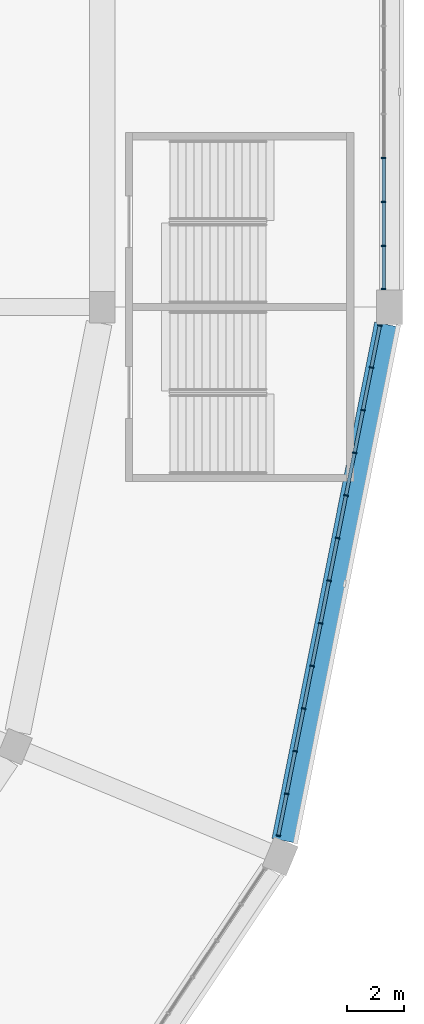
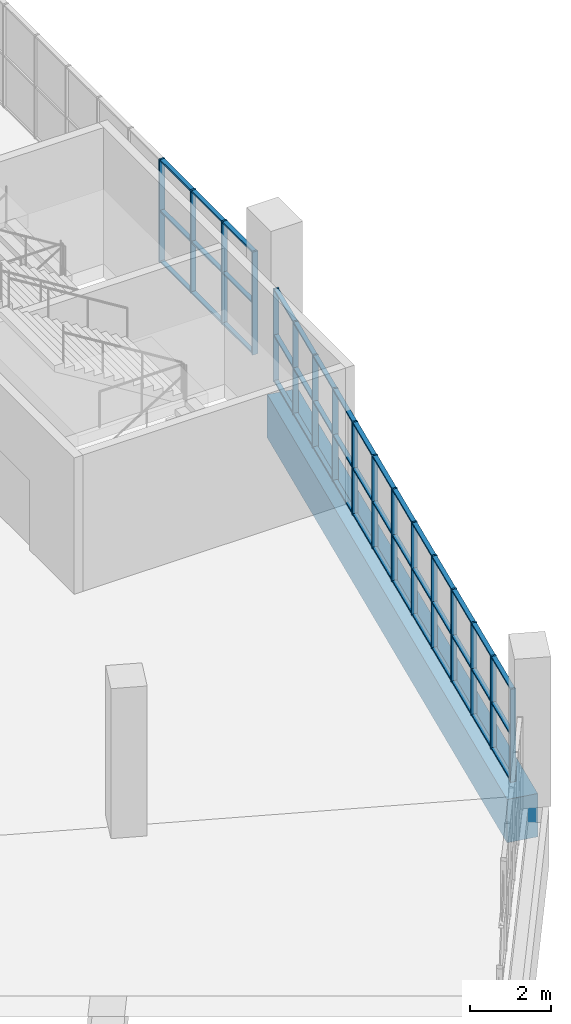
# One storey, part 26 of 199: 62 members, 1 beam, 2 elements without a shape of their own.
"""IFC4 building model written with IfcOpenShell, lengths in metres."""

from ifc_helpers import new_model, si_unit, direction, frame, origin, origin_2d, place, context, subcontext, project, spatial, rectangle, extrude, material, material_profile, profile_set, type_object, element, aggregate, save


model = new_model("IFC4")

# Units and contexts
model_context = context("Model", 3, precision=1e-05, world=origin(), true_north=direction((0.0, 1.0)))
body_context = subcontext(model_context, "Body", "Model", "MODEL_VIEW")
ifc_project = project(units=[si_unit("LENGTHUNIT", "METRE"), si_unit("AREAUNIT", "SQUARE_METRE"), si_unit("VOLUMEUNIT", "CUBIC_METRE"), si_unit("PLANEANGLEUNIT", "RADIAN"), si_unit("MASSUNIT", "GRAM", prefix="KILO")], contexts=[model_context])

# Site, building, storey
site_placement = place(None, origin())
site = spatial("IfcSite", under=ifc_project, at=site_placement, CompositionType="ELEMENT")
building_placement = place(site_placement, origin())
building = spatial("IfcBuilding", under=site, at=building_placement, Name="Ogive Plaza Stadium", CompositionType="ELEMENT")
storey_placement = place(building_placement, frame((0.0, 0.0, 9.0)))
storey = spatial("IfcBuildingStorey", under=building, at=storey_placement, Name="L02", CompositionType="ELEMENT", Elevation=9.0)

# Curtain wall, members
ifc_material_1 = material(Name="Bronze-anodised aluminium with laminated glass", Category="aluminium")
curtain_wall_type = type_object("IfcCurtainWallType", Name="Lancet curtain wall", PredefinedType="NOTDEFINED", material=ifc_material_1)
curtain_wall_1_placement = place(storey_placement, origin())
curtain_wall_1 = element("IfcCurtainWall", 1, at=curtain_wall_1_placement, inside=storey, type_object=curtain_wall_type, Name="CURTAIN WALL B07 L02", PredefinedType="NOTDEFINED")
ifc_material_2 = material(Name="Bronze-anodised aluminium", Category="aluminium")
ifc_material_profile_1 = material_profile(ifc_material_2, rectangle(XDim=0.14990234375, YDim=0.050048828125, at=origin_2d()), Name="AL 150x50")
ifc_profile_set_1 = profile_set([ifc_material_profile_1], Name="Bronze-anodised aluminium")
member_type_1 = type_object("IfcMemberType", Name="Curtain wall mullion 50x150", PredefinedType="MULLION", material=ifc_profile_set_1)
member_1_placement = place(storey_placement, frame((83.800048828125, -47.300048828125, 0.0), z_axis=(0.0, 0.0, 1.0), x_axis=(1.0, 0.0, 0.0)))
member_1 = element("IfcMember", 2, at=member_1_placement, type_object=member_type_1, Name="CW-B07-L02 mullion 7", PredefinedType="MULLION", context=body_context, shape_type="SweptSolid", body=[
    extrude(rectangle(XDim=0.14990234375, YDim=0.050048828125, at=origin_2d()), origin(), (0.0, 0.0, 1.0), 3.090087890625),
])
member_2_placement = place(storey_placement, frame((83.800048828125, -48.833251953125, 0.0), z_axis=(0.0, 0.0, 1.0), x_axis=(1.0, 0.0, 0.0)))
member_2 = element("IfcMember", 3, at=member_2_placement, type_object=member_type_1, Name="CW-B07-L02 mullion 8", PredefinedType="MULLION", context=body_context, shape_type="SweptSolid", body=[
    extrude(rectangle(XDim=0.14990234375, YDim=0.050048828125, at=origin_2d()), origin(), (0.0, 0.0, 1.0), 3.090087890625),
])
member_3_placement = place(storey_placement, frame((83.800048828125, -50.36669921875, 0.0), z_axis=(0.0, 0.0, 1.0), x_axis=(1.0, 0.0, 0.0)))
member_3 = element("IfcMember", 4, at=member_3_placement, type_object=member_type_1, Name="CW-B07-L02 mullion 9", PredefinedType="MULLION", context=body_context, shape_type="SweptSolid", body=[
    extrude(rectangle(XDim=0.14990234375, YDim=0.050048828125, at=origin_2d()), origin(), (0.0, 0.0, 1.0), 3.090087890625),
])
member_4_placement = place(storey_placement, frame((83.800048828125, -51.875, 0.0), z_axis=(0.0, 0.0, 1.0), x_axis=(1.0, 0.0, 0.0)))
member_4 = element("IfcMember", 5, at=member_4_placement, type_object=member_type_1, Name="CW-B07-L02 mullion 10", PredefinedType="MULLION", context=body_context, shape_type="SweptSolid", body=[
    extrude(rectangle(XDim=0.14990234375, YDim=0.050048828125, at=origin_2d()), origin(), (0.0, 0.0, 1.0), 3.090087890625),
])

curtain_wall_2_placement = place(storey_placement, origin())
curtain_wall_2 = element("IfcCurtainWall", 6, at=curtain_wall_2_placement, inside=storey, type_object=curtain_wall_type, Name="CURTAIN WALL B08 L02", PredefinedType="NOTDEFINED")
member_5_placement = place(storey_placement, frame((83.66796875, -53.14404296875, 0.0), z_axis=(0.0, 0.0, 1.0), x_axis=(0.980785280403, -0.195090322016, 0.0)))
member_5 = element("IfcMember", 7, at=member_5_placement, type_object=member_type_1, Name="CW-B08-L02 mullion 1", PredefinedType="MULLION", context=body_context, shape_type="SweptSolid", body=[
    extrude(rectangle(XDim=0.14990234375, YDim=0.050048828125, at=origin_2d()), origin(), (0.0, 0.0, 1.0), 2.7900390625),
])
member_6_placement = place(storey_placement, frame((83.37744140625, -54.604248046875, 0.0), z_axis=(0.0, 0.0, 1.0), x_axis=(0.980785280403, -0.195090322016, 0.0)))
member_6 = element("IfcMember", 8, at=member_6_placement, type_object=member_type_1, Name="CW-B08-L02 mullion 2", PredefinedType="MULLION", context=body_context, shape_type="SweptSolid", body=[
    extrude(rectangle(XDim=0.14990234375, YDim=0.050048828125, at=origin_2d()), origin(), (0.0, 0.0, 1.0), 2.7900390625),
])
member_7_placement = place(storey_placement, frame((83.082275390625, -56.089111328125, 0.0), z_axis=(0.0, 0.0, 1.0), x_axis=(0.980785280403, -0.195090322016, 0.0)))
member_7 = element("IfcMember", 9, at=member_7_placement, type_object=member_type_1, Name="CW-B08-L02 mullion 3", PredefinedType="MULLION", context=body_context, shape_type="SweptSolid", body=[
    extrude(rectangle(XDim=0.14990234375, YDim=0.050048828125, at=origin_2d()), origin(), (0.0, 0.0, 1.0), 2.7900390625),
])
member_8_placement = place(storey_placement, frame((82.786865234375, -57.57373046875, 0.0), z_axis=(0.0, 0.0, 1.0), x_axis=(0.980785280403, -0.195090322016, 0.0)))
member_8 = element("IfcMember", 10, at=member_8_placement, type_object=member_type_1, Name="CW-B08-L02 mullion 4", PredefinedType="MULLION", context=body_context, shape_type="SweptSolid", body=[
    extrude(rectangle(XDim=0.14990234375, YDim=0.050048828125, at=origin_2d()), origin(), (0.0, 0.0, 1.0), 2.7900390625),
])
member_9_placement = place(storey_placement, frame((82.491455078125, -59.05859375, 0.0), z_axis=(0.0, 0.0, 1.0), x_axis=(0.980785280403, -0.195090322016, 0.0)))
member_9 = element("IfcMember", 11, at=member_9_placement, type_object=member_type_1, Name="CW-B08-L02 mullion 5", PredefinedType="MULLION", context=body_context, shape_type="SweptSolid", body=[
    extrude(rectangle(XDim=0.14990234375, YDim=0.050048828125, at=origin_2d()), origin(), (0.0, 0.0, 1.0), 2.7900390625),
])
member_10_placement = place(storey_placement, frame((82.1962890625, -60.543212890625, 0.0), z_axis=(0.0, 0.0, 1.0), x_axis=(0.980785280403, -0.195090322016, 0.0)))
member_10 = element("IfcMember", 12, at=member_10_placement, type_object=member_type_1, Name="CW-B08-L02 mullion 6", PredefinedType="MULLION", context=body_context, shape_type="SweptSolid", body=[
    extrude(rectangle(XDim=0.14990234375, YDim=0.050048828125, at=origin_2d()), origin(), (0.0, 0.0, 1.0), 2.7900390625),
])
member_11_placement = place(storey_placement, frame((81.90087890625, -62.028076171875, 0.0), z_axis=(0.0, 0.0, 1.0), x_axis=(0.980785280403, -0.195090322016, 0.0)))
member_11 = element("IfcMember", 13, at=member_11_placement, type_object=member_type_1, Name="CW-B08-L02 mullion 7", PredefinedType="MULLION", context=body_context, shape_type="SweptSolid", body=[
    extrude(rectangle(XDim=0.14990234375, YDim=0.050048828125, at=origin_2d()), origin(), (0.0, 0.0, 1.0), 2.7900390625),
])
member_12_placement = place(storey_placement, frame((81.60546875, -63.512939453125, 0.0), z_axis=(0.0, 0.0, 1.0), x_axis=(0.980785280403, -0.195090322016, 0.0)))
member_12 = element("IfcMember", 14, at=member_12_placement, type_object=member_type_1, Name="CW-B08-L02 mullion 8", PredefinedType="MULLION", context=body_context, shape_type="SweptSolid", body=[
    extrude(rectangle(XDim=0.14990234375, YDim=0.050048828125, at=origin_2d()), origin(), (0.0, 0.0, 1.0), 2.7900390625),
])
member_13_placement = place(storey_placement, frame((81.31005859375, -64.99755859375, 0.0), z_axis=(0.0, 0.0, 1.0), x_axis=(0.980785280403, -0.195090322016, 0.0)))
member_13 = element("IfcMember", 15, at=member_13_placement, type_object=member_type_1, Name="CW-B08-L02 mullion 9", PredefinedType="MULLION", context=body_context, shape_type="SweptSolid", body=[
    extrude(rectangle(XDim=0.14990234375, YDim=0.050048828125, at=origin_2d()), origin(), (0.0, 0.0, 1.0), 2.7900390625),
])
member_14_placement = place(storey_placement, frame((81.014892578125, -66.482421875, 0.0), z_axis=(0.0, 0.0, 1.0), x_axis=(0.980785280403, -0.195090322016, 0.0)))
member_14 = element("IfcMember", 16, at=member_14_placement, type_object=member_type_1, Name="CW-B08-L02 mullion 10", PredefinedType="MULLION", context=body_context, shape_type="SweptSolid", body=[
    extrude(rectangle(XDim=0.14990234375, YDim=0.050048828125, at=origin_2d()), origin(), (0.0, 0.0, 1.0), 2.7900390625),
])
member_15_placement = place(storey_placement, frame((80.719482421875, -67.967041015625, 0.0), z_axis=(0.0, 0.0, 1.0), x_axis=(0.980785280403, -0.195090322016, 0.0)))
member_15 = element("IfcMember", 17, at=member_15_placement, type_object=member_type_1, Name="CW-B08-L02 mullion 11", PredefinedType="MULLION", context=body_context, shape_type="SweptSolid", body=[
    extrude(rectangle(XDim=0.14990234375, YDim=0.050048828125, at=origin_2d()), origin(), (0.0, 0.0, 1.0), 2.7900390625),
])
member_16_placement = place(storey_placement, frame((80.424072265625, -69.451904296875, 0.0), z_axis=(0.0, 0.0, 1.0), x_axis=(0.980785280403, -0.195090322016, 0.0)))
member_16 = element("IfcMember", 18, at=member_16_placement, type_object=member_type_1, Name="CW-B08-L02 mullion 12", PredefinedType="MULLION", context=body_context, shape_type="SweptSolid", body=[
    extrude(rectangle(XDim=0.14990234375, YDim=0.050048828125, at=origin_2d()), origin(), (0.0, 0.0, 1.0), 2.7900390625),
])
member_17_placement = place(storey_placement, frame((80.1337890625, -70.912109375, 0.0), z_axis=(0.0, 0.0, 1.0), x_axis=(0.980785280403, -0.195090322016, 0.0)))
member_17 = element("IfcMember", 19, at=member_17_placement, type_object=member_type_1, Name="CW-B08-L02 mullion 13", PredefinedType="MULLION", context=body_context, shape_type="SweptSolid", body=[
    extrude(rectangle(XDim=0.14990234375, YDim=0.050048828125, at=origin_2d()), origin(), (0.0, 0.0, 1.0), 2.7900390625),
])

# Member
ifc_material_3 = material(Name="Bronze-anodised aluminium", Category="aluminium")
ifc_material_profile_2 = material_profile(ifc_material_3, rectangle(XDim=0.1201171875, YDim=0.050048828125, at=origin_2d()), Name="AL 120x50")
ifc_profile_set_2 = profile_set([ifc_material_profile_2], Name="Bronze-anodised aluminium")
member_type_2 = type_object("IfcMemberType", Name="Curtain wall transom 50x120", PredefinedType="USERDEFINED", material=ifc_profile_set_2)
member_18_placement = place(storey_placement, frame((83.800048828125, -47.324951171875, 0.02490234375), z_axis=(0.0, -1.0, 0.0), x_axis=(1.0, 0.0, 0.0)))
member_18 = element("IfcMember", 20, at=member_18_placement, type_object=member_type_2, Name="CW-B07-L02 transom 7.1", ObjectType="TRANSOM", PredefinedType="USERDEFINED", context=body_context, shape_type="SweptSolid", body=[
    extrude(rectangle(XDim=0.1201171875, YDim=0.050048828125, at=origin_2d()), origin(), (0.0, 0.0, 1.0), 1.4833984375),
])

member_19_placement = place(storey_placement, frame((83.800048828125, -47.324951171875, 1.544921875), z_axis=(0.0, -1.0, 0.0), x_axis=(1.0, 0.0, 0.0)))
member_19 = element("IfcMember", 21, at=member_19_placement, type_object=member_type_2, Name="CW-B07-L02 transom 7.2", ObjectType="TRANSOM", PredefinedType="USERDEFINED", context=body_context, shape_type="SweptSolid", body=[
    extrude(rectangle(XDim=0.1201171875, YDim=0.050048828125, at=origin_2d()), origin(), (0.0, 0.0, 1.0), 1.4833984375),
])

member_20_placement = place(storey_placement, frame((83.800048828125, -47.324951171875, 3.06494140625), z_axis=(0.0, -1.0, 0.0), x_axis=(1.0, 0.0, 0.0)))
member_20 = element("IfcMember", 22, at=member_20_placement, type_object=member_type_2, Name="CW-B07-L02 transom 7.3", ObjectType="TRANSOM", PredefinedType="USERDEFINED", context=body_context, shape_type="SweptSolid", body=[
    extrude(rectangle(XDim=0.1201171875, YDim=0.050048828125, at=origin_2d()), origin(), (0.0, 0.0, 1.0), 1.4833984375),
])

member_21_placement = place(storey_placement, frame((83.800048828125, -48.8583984375, 0.02490234375), z_axis=(0.0, -1.0, 0.0), x_axis=(1.0, 0.0, 0.0)))
member_21 = element("IfcMember", 23, at=member_21_placement, type_object=member_type_2, Name="CW-B07-L02 transom 8.1", ObjectType="TRANSOM", PredefinedType="USERDEFINED", context=body_context, shape_type="SweptSolid", body=[
    extrude(rectangle(XDim=0.1201171875, YDim=0.050048828125, at=origin_2d()), origin(), (0.0, 0.0, 1.0), 1.483154296875),
])

member_22_placement = place(storey_placement, frame((83.800048828125, -48.8583984375, 1.544921875), z_axis=(0.0, -1.0, 0.0), x_axis=(1.0, 0.0, 0.0)))
member_22 = element("IfcMember", 24, at=member_22_placement, type_object=member_type_2, Name="CW-B07-L02 transom 8.2", ObjectType="TRANSOM", PredefinedType="USERDEFINED", context=body_context, shape_type="SweptSolid", body=[
    extrude(rectangle(XDim=0.1201171875, YDim=0.050048828125, at=origin_2d()), origin(), (0.0, 0.0, 1.0), 1.483154296875),
])

member_23_placement = place(storey_placement, frame((83.800048828125, -48.8583984375, 3.06494140625), z_axis=(0.0, -1.0, 0.0), x_axis=(1.0, 0.0, 0.0)))
member_23 = element("IfcMember", 25, at=member_23_placement, type_object=member_type_2, Name="CW-B07-L02 transom 8.3", ObjectType="TRANSOM", PredefinedType="USERDEFINED", context=body_context, shape_type="SweptSolid", body=[
    extrude(rectangle(XDim=0.1201171875, YDim=0.050048828125, at=origin_2d()), origin(), (0.0, 0.0, 1.0), 1.483154296875),
])

member_24_placement = place(storey_placement, frame((83.800048828125, -50.3916015625, 0.02490234375), z_axis=(0.0, -1.0, 0.0), x_axis=(1.0, 0.0, 0.0)))
member_24 = element("IfcMember", 26, at=member_24_placement, type_object=member_type_2, Name="CW-B07-L02 transom 9.1", ObjectType="TRANSOM", PredefinedType="USERDEFINED", context=body_context, shape_type="SweptSolid", body=[
    extrude(rectangle(XDim=0.1201171875, YDim=0.050048828125, at=origin_2d()), origin(), (0.0, 0.0, 1.0), 1.45849609375),
])

member_25_placement = place(storey_placement, frame((83.800048828125, -50.3916015625, 1.544921875), z_axis=(0.0, -1.0, 0.0), x_axis=(1.0, 0.0, 0.0)))
member_25 = element("IfcMember", 27, at=member_25_placement, type_object=member_type_2, Name="CW-B07-L02 transom 9.2", ObjectType="TRANSOM", PredefinedType="USERDEFINED", context=body_context, shape_type="SweptSolid", body=[
    extrude(rectangle(XDim=0.1201171875, YDim=0.050048828125, at=origin_2d()), origin(), (0.0, 0.0, 1.0), 1.45849609375),
])

member_26_placement = place(storey_placement, frame((83.800048828125, -50.3916015625, 3.06494140625), z_axis=(0.0, -1.0, 0.0), x_axis=(1.0, 0.0, 0.0)))
member_26 = element("IfcMember", 28, at=member_26_placement, type_object=member_type_2, Name="CW-B07-L02 transom 9.3", ObjectType="TRANSOM", PredefinedType="USERDEFINED", context=body_context, shape_type="SweptSolid", body=[
    extrude(rectangle(XDim=0.1201171875, YDim=0.050048828125, at=origin_2d()), origin(), (0.0, 0.0, 1.0), 1.45849609375),
])

aggregate(curtain_wall_1, [member_1, member_2, member_3, member_4, member_18, member_19, member_20, member_21, member_22, member_23, member_24, member_25, member_26])

member_27_placement = place(storey_placement, frame((83.6630859375, -53.16845703125, 0.02490234375), z_axis=(-0.195104618913, -0.980782436465, 0.0), x_axis=(0.980782436465, -0.195104618913, 0.0)))
member_27 = element("IfcMember", 29, at=member_27_placement, type_object=member_type_2, Name="CW-B08-L02 transom 1.1", ObjectType="TRANSOM", PredefinedType="USERDEFINED", context=body_context, shape_type="SweptSolid", body=[
    extrude(rectangle(XDim=0.1201171875, YDim=0.050048828125, at=origin_2d()), origin(), (0.0, 0.0, 1.0), 1.43896484375),
])

member_28_placement = place(storey_placement, frame((83.6630859375, -53.16845703125, 1.39501953125), z_axis=(-0.195104618913, -0.980782436465, 0.0), x_axis=(0.980782436465, -0.195104618913, 0.0)))
member_28 = element("IfcMember", 30, at=member_28_placement, type_object=member_type_2, Name="CW-B08-L02 transom 1.2", ObjectType="TRANSOM", PredefinedType="USERDEFINED", context=body_context, shape_type="SweptSolid", body=[
    extrude(rectangle(XDim=0.1201171875, YDim=0.050048828125, at=origin_2d()), origin(), (0.0, 0.0, 1.0), 1.43896484375),
])

member_29_placement = place(storey_placement, frame((83.6630859375, -53.16845703125, 2.764892578125), z_axis=(-0.195104618913, -0.980782436465, 0.0), x_axis=(0.980782436465, -0.195104618913, 0.0)))
member_29 = element("IfcMember", 31, at=member_29_placement, type_object=member_type_2, Name="CW-B08-L02 transom 1.3", ObjectType="TRANSOM", PredefinedType="USERDEFINED", context=body_context, shape_type="SweptSolid", body=[
    extrude(rectangle(XDim=0.1201171875, YDim=0.050048828125, at=origin_2d()), origin(), (0.0, 0.0, 1.0), 1.43896484375),
])

member_30_placement = place(storey_placement, frame((83.37255859375, -54.62890625, 0.02490234375), z_axis=(-0.194993290732, -0.980804576136, 0.0), x_axis=(0.980804576136, -0.194993290732, 0.0)))
member_30 = element("IfcMember", 32, at=member_30_placement, type_object=member_type_2, Name="CW-B08-L02 transom 2.1", ObjectType="TRANSOM", PredefinedType="USERDEFINED", context=body_context, shape_type="SweptSolid", body=[
    extrude(rectangle(XDim=0.1201171875, YDim=0.050048828125, at=origin_2d()), origin(), (0.0, 0.0, 1.0), 1.463623046875),
])

member_31_placement = place(storey_placement, frame((83.37255859375, -54.62890625, 1.39501953125), z_axis=(-0.194993290732, -0.980804576136, 0.0), x_axis=(0.980804576136, -0.194993290732, 0.0)))
member_31 = element("IfcMember", 33, at=member_31_placement, type_object=member_type_2, Name="CW-B08-L02 transom 2.2", ObjectType="TRANSOM", PredefinedType="USERDEFINED", context=body_context, shape_type="SweptSolid", body=[
    extrude(rectangle(XDim=0.1201171875, YDim=0.050048828125, at=origin_2d()), origin(), (0.0, 0.0, 1.0), 1.463623046875),
])

member_32_placement = place(storey_placement, frame((83.37255859375, -54.62890625, 2.764892578125), z_axis=(-0.194993290732, -0.980804576136, 0.0), x_axis=(0.980804576136, -0.194993290732, 0.0)))
member_32 = element("IfcMember", 34, at=member_32_placement, type_object=member_type_2, Name="CW-B08-L02 transom 2.3", ObjectType="TRANSOM", PredefinedType="USERDEFINED", context=body_context, shape_type="SweptSolid", body=[
    extrude(rectangle(XDim=0.1201171875, YDim=0.050048828125, at=origin_2d()), origin(), (0.0, 0.0, 1.0), 1.463623046875),
])

member_33_placement = place(storey_placement, frame((83.077392578125, -56.113525390625, 0.02490234375), z_axis=(-0.195121823859, -0.980779013771, 0.0), x_axis=(0.980779013771, -0.195121823859, 0.0)))
member_33 = element("IfcMember", 35, at=member_33_placement, type_object=member_type_2, Name="CW-B08-L02 transom 3.1", ObjectType="TRANSOM", PredefinedType="USERDEFINED", context=body_context, shape_type="SweptSolid", body=[
    extrude(rectangle(XDim=0.1201171875, YDim=0.050048828125, at=origin_2d()), origin(), (0.0, 0.0, 1.0), 1.4638671875),
])

member_34_placement = place(storey_placement, frame((83.077392578125, -56.113525390625, 1.39501953125), z_axis=(-0.195121823859, -0.980779013771, 0.0), x_axis=(0.980779013771, -0.195121823859, 0.0)))
member_34 = element("IfcMember", 36, at=member_34_placement, type_object=member_type_2, Name="CW-B08-L02 transom 3.2", ObjectType="TRANSOM", PredefinedType="USERDEFINED", context=body_context, shape_type="SweptSolid", body=[
    extrude(rectangle(XDim=0.1201171875, YDim=0.050048828125, at=origin_2d()), origin(), (0.0, 0.0, 1.0), 1.4638671875),
])

member_35_placement = place(storey_placement, frame((83.077392578125, -56.113525390625, 2.764892578125), z_axis=(-0.195121823859, -0.980779013771, 0.0), x_axis=(0.980779013771, -0.195121823859, 0.0)))
member_35 = element("IfcMember", 37, at=member_35_placement, type_object=member_type_2, Name="CW-B08-L02 transom 3.3", ObjectType="TRANSOM", PredefinedType="USERDEFINED", context=body_context, shape_type="SweptSolid", body=[
    extrude(rectangle(XDim=0.1201171875, YDim=0.050048828125, at=origin_2d()), origin(), (0.0, 0.0, 1.0), 1.4638671875),
])

member_36_placement = place(storey_placement, frame((82.781982421875, -57.598388671875, 0.02490234375), z_axis=(-0.195153744134, -0.980772662828, 0.0), x_axis=(0.980772662828, -0.195153744134, 0.0)))
member_36 = element("IfcMember", 38, at=member_36_placement, type_object=member_type_2, Name="CW-B08-L02 transom 4.1", ObjectType="TRANSOM", PredefinedType="USERDEFINED", context=body_context, shape_type="SweptSolid", body=[
    extrude(rectangle(XDim=0.1201171875, YDim=0.050048828125, at=origin_2d()), origin(), (0.0, 0.0, 1.0), 1.463623046875),
])

member_37_placement = place(storey_placement, frame((82.781982421875, -57.598388671875, 1.39501953125), z_axis=(-0.195153744134, -0.980772662828, 0.0), x_axis=(0.980772662828, -0.195153744134, 0.0)))
member_37 = element("IfcMember", 39, at=member_37_placement, type_object=member_type_2, Name="CW-B08-L02 transom 4.2", ObjectType="TRANSOM", PredefinedType="USERDEFINED", context=body_context, shape_type="SweptSolid", body=[
    extrude(rectangle(XDim=0.1201171875, YDim=0.050048828125, at=origin_2d()), origin(), (0.0, 0.0, 1.0), 1.463623046875),
])

member_38_placement = place(storey_placement, frame((82.781982421875, -57.598388671875, 2.764892578125), z_axis=(-0.195153744134, -0.980772662828, 0.0), x_axis=(0.980772662828, -0.195153744134, 0.0)))
member_38 = element("IfcMember", 40, at=member_38_placement, type_object=member_type_2, Name="CW-B08-L02 transom 4.3", ObjectType="TRANSOM", PredefinedType="USERDEFINED", context=body_context, shape_type="SweptSolid", body=[
    extrude(rectangle(XDim=0.1201171875, YDim=0.050048828125, at=origin_2d()), origin(), (0.0, 0.0, 1.0), 1.463623046875),
])

member_39_placement = place(storey_placement, frame((82.486572265625, -59.0830078125, 0.02490234375), z_axis=(-0.195121823859, -0.980779013771, 0.0), x_axis=(0.980779013771, -0.195121823859, 0.0)))
member_39 = element("IfcMember", 41, at=member_39_placement, type_object=member_type_2, Name="CW-B08-L02 transom 5.1", ObjectType="TRANSOM", PredefinedType="USERDEFINED", context=body_context, shape_type="SweptSolid", body=[
    extrude(rectangle(XDim=0.1201171875, YDim=0.050048828125, at=origin_2d()), origin(), (0.0, 0.0, 1.0), 1.4638671875),
])

member_40_placement = place(storey_placement, frame((82.486572265625, -59.0830078125, 1.39501953125), z_axis=(-0.195121823859, -0.980779013771, 0.0), x_axis=(0.980779013771, -0.195121823859, 0.0)))
member_40 = element("IfcMember", 42, at=member_40_placement, type_object=member_type_2, Name="CW-B08-L02 transom 5.2", ObjectType="TRANSOM", PredefinedType="USERDEFINED", context=body_context, shape_type="SweptSolid", body=[
    extrude(rectangle(XDim=0.1201171875, YDim=0.050048828125, at=origin_2d()), origin(), (0.0, 0.0, 1.0), 1.4638671875),
])

member_41_placement = place(storey_placement, frame((82.486572265625, -59.0830078125, 2.764892578125), z_axis=(-0.195121823859, -0.980779013771, 0.0), x_axis=(0.980779013771, -0.195121823859, 0.0)))
member_41 = element("IfcMember", 43, at=member_41_placement, type_object=member_type_2, Name="CW-B08-L02 transom 5.3", ObjectType="TRANSOM", PredefinedType="USERDEFINED", context=body_context, shape_type="SweptSolid", body=[
    extrude(rectangle(XDim=0.1201171875, YDim=0.050048828125, at=origin_2d()), origin(), (0.0, 0.0, 1.0), 1.4638671875),
])

member_42_placement = place(storey_placement, frame((82.19140625, -60.56787109375, 0.02490234375), z_axis=(-0.195121823859, -0.980779013771, 0.0), x_axis=(0.980779013771, -0.195121823859, 0.0)))
member_42 = element("IfcMember", 44, at=member_42_placement, type_object=member_type_2, Name="CW-B08-L02 transom 6.1", ObjectType="TRANSOM", PredefinedType="USERDEFINED", context=body_context, shape_type="SweptSolid", body=[
    extrude(rectangle(XDim=0.1201171875, YDim=0.050048828125, at=origin_2d()), origin(), (0.0, 0.0, 1.0), 1.4638671875),
])

member_43_placement = place(storey_placement, frame((82.19140625, -60.56787109375, 1.39501953125), z_axis=(-0.195121823859, -0.980779013771, 0.0), x_axis=(0.980779013771, -0.195121823859, 0.0)))
member_43 = element("IfcMember", 45, at=member_43_placement, type_object=member_type_2, Name="CW-B08-L02 transom 6.2", ObjectType="TRANSOM", PredefinedType="USERDEFINED", context=body_context, shape_type="SweptSolid", body=[
    extrude(rectangle(XDim=0.1201171875, YDim=0.050048828125, at=origin_2d()), origin(), (0.0, 0.0, 1.0), 1.4638671875),
])

member_44_placement = place(storey_placement, frame((82.19140625, -60.56787109375, 2.764892578125), z_axis=(-0.195121823859, -0.980779013771, 0.0), x_axis=(0.980779013771, -0.195121823859, 0.0)))
member_44 = element("IfcMember", 46, at=member_44_placement, type_object=member_type_2, Name="CW-B08-L02 transom 6.3", ObjectType="TRANSOM", PredefinedType="USERDEFINED", context=body_context, shape_type="SweptSolid", body=[
    extrude(rectangle(XDim=0.1201171875, YDim=0.050048828125, at=origin_2d()), origin(), (0.0, 0.0, 1.0), 1.4638671875),
])

member_45_placement = place(storey_placement, frame((81.89599609375, -62.052490234375, 0.02490234375), z_axis=(-0.195121823859, -0.980779013771, 0.0), x_axis=(0.980779013771, -0.195121823859, 0.0)))
member_45 = element("IfcMember", 47, at=member_45_placement, type_object=member_type_2, Name="CW-B08-L02 transom 7.1", ObjectType="TRANSOM", PredefinedType="USERDEFINED", context=body_context, shape_type="SweptSolid", body=[
    extrude(rectangle(XDim=0.1201171875, YDim=0.050048828125, at=origin_2d()), origin(), (0.0, 0.0, 1.0), 1.4638671875),
])

member_46_placement = place(storey_placement, frame((81.89599609375, -62.052490234375, 1.39501953125), z_axis=(-0.195121823859, -0.980779013771, 0.0), x_axis=(0.980779013771, -0.195121823859, 0.0)))
member_46 = element("IfcMember", 48, at=member_46_placement, type_object=member_type_2, Name="CW-B08-L02 transom 7.2", ObjectType="TRANSOM", PredefinedType="USERDEFINED", context=body_context, shape_type="SweptSolid", body=[
    extrude(rectangle(XDim=0.1201171875, YDim=0.050048828125, at=origin_2d()), origin(), (0.0, 0.0, 1.0), 1.4638671875),
])

member_47_placement = place(storey_placement, frame((81.89599609375, -62.052490234375, 2.764892578125), z_axis=(-0.195121823859, -0.980779013771, 0.0), x_axis=(0.980779013771, -0.195121823859, 0.0)))
member_47 = element("IfcMember", 49, at=member_47_placement, type_object=member_type_2, Name="CW-B08-L02 transom 7.3", ObjectType="TRANSOM", PredefinedType="USERDEFINED", context=body_context, shape_type="SweptSolid", body=[
    extrude(rectangle(XDim=0.1201171875, YDim=0.050048828125, at=origin_2d()), origin(), (0.0, 0.0, 1.0), 1.4638671875),
])

member_48_placement = place(storey_placement, frame((81.6005859375, -63.537353515625, 0.02490234375), z_axis=(-0.195121823859, -0.980779013771, 0.0), x_axis=(0.980779013771, -0.195121823859, 0.0)))
member_48 = element("IfcMember", 50, at=member_48_placement, type_object=member_type_2, Name="CW-B08-L02 transom 8.1", ObjectType="TRANSOM", PredefinedType="USERDEFINED", context=body_context, shape_type="SweptSolid", body=[
    extrude(rectangle(XDim=0.1201171875, YDim=0.050048828125, at=origin_2d()), origin(), (0.0, 0.0, 1.0), 1.4638671875),
])

member_49_placement = place(storey_placement, frame((81.6005859375, -63.537353515625, 1.39501953125), z_axis=(-0.195121823859, -0.980779013771, 0.0), x_axis=(0.980779013771, -0.195121823859, 0.0)))
member_49 = element("IfcMember", 51, at=member_49_placement, type_object=member_type_2, Name="CW-B08-L02 transom 8.2", ObjectType="TRANSOM", PredefinedType="USERDEFINED", context=body_context, shape_type="SweptSolid", body=[
    extrude(rectangle(XDim=0.1201171875, YDim=0.050048828125, at=origin_2d()), origin(), (0.0, 0.0, 1.0), 1.4638671875),
])

member_50_placement = place(storey_placement, frame((81.6005859375, -63.537353515625, 2.764892578125), z_axis=(-0.195121823859, -0.980779013771, 0.0), x_axis=(0.980779013771, -0.195121823859, 0.0)))
member_50 = element("IfcMember", 52, at=member_50_placement, type_object=member_type_2, Name="CW-B08-L02 transom 8.3", ObjectType="TRANSOM", PredefinedType="USERDEFINED", context=body_context, shape_type="SweptSolid", body=[
    extrude(rectangle(XDim=0.1201171875, YDim=0.050048828125, at=origin_2d()), origin(), (0.0, 0.0, 1.0), 1.4638671875),
])

member_51_placement = place(storey_placement, frame((81.30517578125, -65.022216796875, 0.02490234375), z_axis=(-0.194993290732, -0.980804576136, 0.0), x_axis=(0.980804576136, -0.194993290732, 0.0)))
member_51 = element("IfcMember", 53, at=member_51_placement, type_object=member_type_2, Name="CW-B08-L02 transom 9.1", ObjectType="TRANSOM", PredefinedType="USERDEFINED", context=body_context, shape_type="SweptSolid", body=[
    extrude(rectangle(XDim=0.1201171875, YDim=0.050048828125, at=origin_2d()), origin(), (0.0, 0.0, 1.0), 1.463623046875),
])

member_52_placement = place(storey_placement, frame((81.30517578125, -65.022216796875, 1.39501953125), z_axis=(-0.194993290732, -0.980804576136, 0.0), x_axis=(0.980804576136, -0.194993290732, 0.0)))
member_52 = element("IfcMember", 54, at=member_52_placement, type_object=member_type_2, Name="CW-B08-L02 transom 9.2", ObjectType="TRANSOM", PredefinedType="USERDEFINED", context=body_context, shape_type="SweptSolid", body=[
    extrude(rectangle(XDim=0.1201171875, YDim=0.050048828125, at=origin_2d()), origin(), (0.0, 0.0, 1.0), 1.463623046875),
])

member_53_placement = place(storey_placement, frame((81.30517578125, -65.022216796875, 2.764892578125), z_axis=(-0.194993290732, -0.980804576136, 0.0), x_axis=(0.980804576136, -0.194993290732, 0.0)))
member_53 = element("IfcMember", 55, at=member_53_placement, type_object=member_type_2, Name="CW-B08-L02 transom 9.3", ObjectType="TRANSOM", PredefinedType="USERDEFINED", context=body_context, shape_type="SweptSolid", body=[
    extrude(rectangle(XDim=0.1201171875, YDim=0.050048828125, at=origin_2d()), origin(), (0.0, 0.0, 1.0), 1.463623046875),
])

member_54_placement = place(storey_placement, frame((81.010009765625, -66.5068359375, 0.02490234375), z_axis=(-0.195121823859, -0.980779013771, 0.0), x_axis=(0.980779013771, -0.195121823859, 0.0)))
member_54 = element("IfcMember", 56, at=member_54_placement, type_object=member_type_2, Name="CW-B08-L02 transom 10.1", ObjectType="TRANSOM", PredefinedType="USERDEFINED", context=body_context, shape_type="SweptSolid", body=[
    extrude(rectangle(XDim=0.1201171875, YDim=0.050048828125, at=origin_2d()), origin(), (0.0, 0.0, 1.0), 1.4638671875),
])

member_55_placement = place(storey_placement, frame((81.010009765625, -66.5068359375, 1.39501953125), z_axis=(-0.195121823859, -0.980779013771, 0.0), x_axis=(0.980779013771, -0.195121823859, 0.0)))
member_55 = element("IfcMember", 57, at=member_55_placement, type_object=member_type_2, Name="CW-B08-L02 transom 10.2", ObjectType="TRANSOM", PredefinedType="USERDEFINED", context=body_context, shape_type="SweptSolid", body=[
    extrude(rectangle(XDim=0.1201171875, YDim=0.050048828125, at=origin_2d()), origin(), (0.0, 0.0, 1.0), 1.4638671875),
])

member_56_placement = place(storey_placement, frame((81.010009765625, -66.5068359375, 2.764892578125), z_axis=(-0.195121823859, -0.980779013771, 0.0), x_axis=(0.980779013771, -0.195121823859, 0.0)))
member_56 = element("IfcMember", 58, at=member_56_placement, type_object=member_type_2, Name="CW-B08-L02 transom 10.3", ObjectType="TRANSOM", PredefinedType="USERDEFINED", context=body_context, shape_type="SweptSolid", body=[
    extrude(rectangle(XDim=0.1201171875, YDim=0.050048828125, at=origin_2d()), origin(), (0.0, 0.0, 1.0), 1.4638671875),
])

member_57_placement = place(storey_placement, frame((80.714599609375, -67.99169921875, 0.02490234375), z_axis=(-0.195153744134, -0.980772662828, 0.0), x_axis=(0.980772662828, -0.195153744134, 0.0)))
member_57 = element("IfcMember", 59, at=member_57_placement, type_object=member_type_2, Name="CW-B08-L02 transom 11.1", ObjectType="TRANSOM", PredefinedType="USERDEFINED", context=body_context, shape_type="SweptSolid", body=[
    extrude(rectangle(XDim=0.1201171875, YDim=0.050048828125, at=origin_2d()), origin(), (0.0, 0.0, 1.0), 1.463623046875),
])

member_58_placement = place(storey_placement, frame((80.714599609375, -67.99169921875, 1.39501953125), z_axis=(-0.195153744134, -0.980772662828, 0.0), x_axis=(0.980772662828, -0.195153744134, 0.0)))
member_58 = element("IfcMember", 60, at=member_58_placement, type_object=member_type_2, Name="CW-B08-L02 transom 11.2", ObjectType="TRANSOM", PredefinedType="USERDEFINED", context=body_context, shape_type="SweptSolid", body=[
    extrude(rectangle(XDim=0.1201171875, YDim=0.050048828125, at=origin_2d()), origin(), (0.0, 0.0, 1.0), 1.463623046875),
])

member_59_placement = place(storey_placement, frame((80.714599609375, -67.99169921875, 2.764892578125), z_axis=(-0.195153744134, -0.980772662828, 0.0), x_axis=(0.980772662828, -0.195153744134, 0.0)))
member_59 = element("IfcMember", 61, at=member_59_placement, type_object=member_type_2, Name="CW-B08-L02 transom 11.3", ObjectType="TRANSOM", PredefinedType="USERDEFINED", context=body_context, shape_type="SweptSolid", body=[
    extrude(rectangle(XDim=0.1201171875, YDim=0.050048828125, at=origin_2d()), origin(), (0.0, 0.0, 1.0), 1.463623046875),
])

member_60_placement = place(storey_placement, frame((80.419189453125, -69.476318359375, 0.02490234375), z_axis=(-0.194941412722, -0.980814888552, 0.0), x_axis=(0.980814888552, -0.194941412722, 0.0)))
member_60 = element("IfcMember", 62, at=member_60_placement, type_object=member_type_2, Name="CW-B08-L02 transom 12.1", ObjectType="TRANSOM", PredefinedType="USERDEFINED", context=body_context, shape_type="SweptSolid", body=[
    extrude(rectangle(XDim=0.1201171875, YDim=0.050048828125, at=origin_2d()), origin(), (0.0, 0.0, 1.0), 1.43896484375),
])

member_61_placement = place(storey_placement, frame((80.419189453125, -69.476318359375, 1.39501953125), z_axis=(-0.194941412722, -0.980814888552, 0.0), x_axis=(0.980814888552, -0.194941412722, 0.0)))
member_61 = element("IfcMember", 63, at=member_61_placement, type_object=member_type_2, Name="CW-B08-L02 transom 12.2", ObjectType="TRANSOM", PredefinedType="USERDEFINED", context=body_context, shape_type="SweptSolid", body=[
    extrude(rectangle(XDim=0.1201171875, YDim=0.050048828125, at=origin_2d()), origin(), (0.0, 0.0, 1.0), 1.43896484375),
])

member_62_placement = place(storey_placement, frame((80.419189453125, -69.476318359375, 2.764892578125), z_axis=(-0.194941412722, -0.980814888552, 0.0), x_axis=(0.980814888552, -0.194941412722, 0.0)))
member_62 = element("IfcMember", 64, at=member_62_placement, type_object=member_type_2, Name="CW-B08-L02 transom 12.3", ObjectType="TRANSOM", PredefinedType="USERDEFINED", context=body_context, shape_type="SweptSolid", body=[
    extrude(rectangle(XDim=0.1201171875, YDim=0.050048828125, at=origin_2d()), origin(), (0.0, 0.0, 1.0), 1.43896484375),
])

aggregate(curtain_wall_2, [member_5, member_6, member_7, member_8, member_9, member_10, member_11, member_12, member_13, member_14, member_15, member_16, member_17, member_27, member_28, member_29, member_30, member_31, member_32, member_33, member_34, member_35, member_36, member_37, member_38, member_39, member_40, member_41, member_42, member_43, member_44, member_45, member_46, member_47, member_48, member_49, member_50, member_51, member_52, member_53, member_54, member_55, member_56, member_57, member_58, member_59, member_60, member_61, member_62])

# Beam
ifc_material_4 = material(Name="Concrete C40/50", Category="concrete")
ifc_material_profile_3 = material_profile(ifc_material_4, rectangle(XDim=0.800048828125, YDim=1.300048828125, at=origin_2d()), Name="RC 800x1300")
ifc_profile_set_3 = profile_set([ifc_material_profile_3], Name="Concrete C40/50")
beam_type = type_object("IfcBeamType", Name="RC spandrel beam 800x1300", PredefinedType="SPANDREL", material=ifc_profile_set_3)
beam_placement = place(storey_placement, frame((83.880615234375, -53.10009765625, -1.06005859375), z_axis=(-0.195084152283, -0.980786507619, 0.0), x_axis=(0.980786507619, -0.195084152283, 0.0)))
element("IfcBeam", 65, at=beam_placement, inside=storey, type_object=beam_type, Name="Ring beam F5 L02 B08", PredefinedType="SPANDREL", context=body_context, shape_type="SweptSolid", body=[
    extrude(rectangle(XDim=0.800048828125, YDim=1.300048828125, at=origin_2d()), origin(), (0.0, 0.0, 1.0), 18.33642578125),
])

save(model, "model.ifc")
